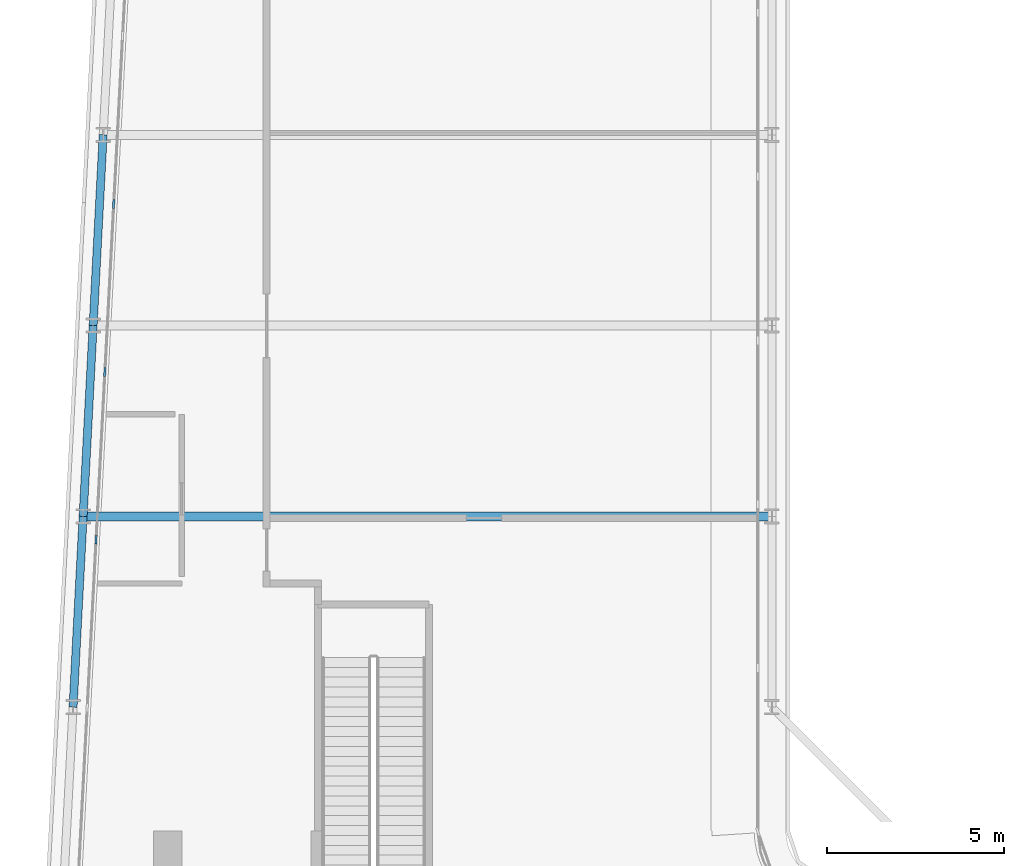
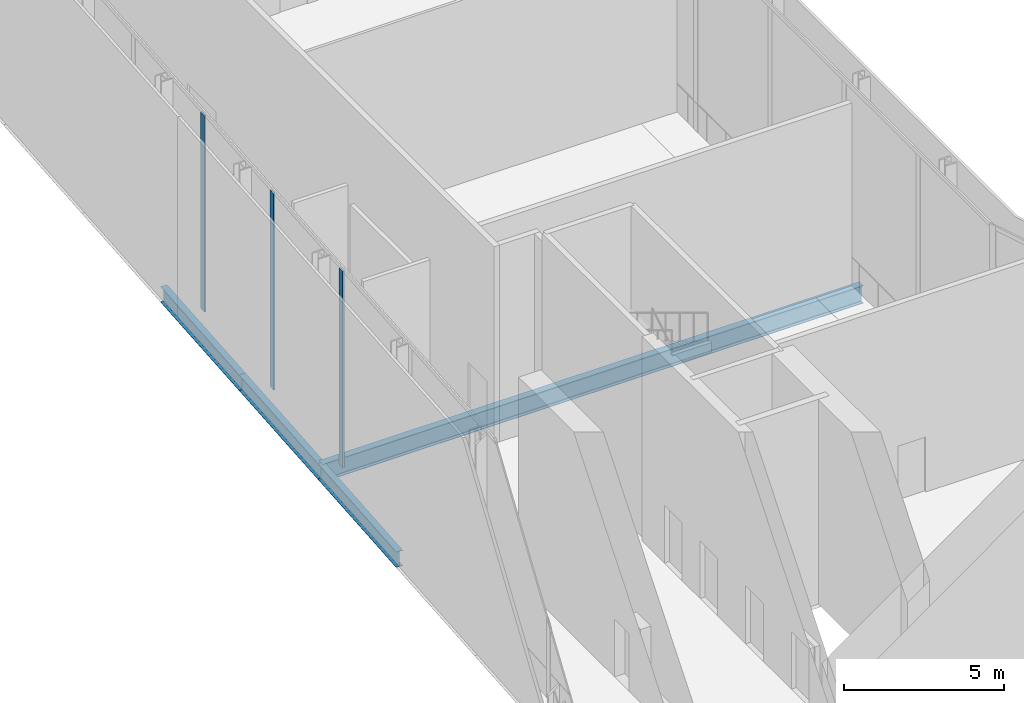
# One storey, part 12 of 37: 4 beams, 3 members, 1 element without a shape of its own.
"""IFC4 building model written with IfcOpenShell, lengths in metres."""

from ifc_helpers import new_model, si_unit, direction, frame, origin, origin_2d, place, context, subcontext, project, spatial, rectangle, i_section, extrude, material, layer, layer_set, material_profile, profile_set, type_object, element, aggregate, save


model = new_model("IFC4")

# Units and contexts
model_context = context("Model", 3, precision=1e-05, world=origin(), true_north=direction((0.0, 1.0)))
body_context = subcontext(model_context, "Body", "Model", "MODEL_VIEW")
ifc_project = project(units=[si_unit("LENGTHUNIT", "METRE"), si_unit("AREAUNIT", "SQUARE_METRE"), si_unit("VOLUMEUNIT", "CUBIC_METRE"), si_unit("PLANEANGLEUNIT", "RADIAN"), si_unit("MASSUNIT", "GRAM", prefix="KILO")], contexts=[model_context])

# Site, building, storey
site_placement = place(None, origin())
site = spatial("IfcSite", under=ifc_project, at=site_placement, CompositionType="ELEMENT")
building_placement = place(site_placement, origin())
building = spatial("IfcBuilding", under=site, at=building_placement, Name="Kheshtan School and Residences Tower", CompositionType="ELEMENT")
storey_placement = place(building_placement, frame((0.0, 0.0, 144.800048828125)))
storey = spatial("IfcBuildingStorey", under=building, at=storey_placement, Name="L34", CompositionType="ELEMENT", Elevation=144.800048828125)

# Beams
ifc_material_1 = material(Name="Steel ASTM A992 Grade 50", Category="steel")
ifc_material_profile_1 = material_profile(ifc_material_1, i_section(OverallWidth=0.2529296875, OverallDepth=0.677978515625, WebThickness=0.01171875, FlangeThickness=0.016357421875, FilletRadius=0.0146484375, at=origin_2d()), Name="W690x125")
ifc_profile_set_1 = profile_set([ifc_material_profile_1], Name="Steel ASTM A992 Grade 50")
beam_type_1 = type_object("IfcBeamType", Name="Beam FB6 W690x125 ASTM A992 Grade 50", PredefinedType="BEAM", material=ifc_profile_set_1)
beam_1_placement = place(storey_placement, frame((47.60009765625, 56.39990234375, -0.489013671875), z_axis=(-1.0, 0.0, 0.0), x_axis=(0.0, -1.0, 0.0)))
element("IfcBeam", 1, at=beam_1_placement, inside=storey, type_object=beam_type_1, Name="Floor beam C081", PredefinedType="BEAM", context=body_context, shape_type="SweptSolid", body=[
    extrude(i_section(OverallWidth=0.2529296875, OverallDepth=0.677978515625, WebThickness=0.01171875, FlangeThickness=0.016357421875, FilletRadius=0.0146484375, at=origin_2d()), origin(), (0.0, 0.0, 1.0), 19.494140625),
])
ifc_material_profile_2 = material_profile(ifc_material_1, i_section(OverallWidth=0.22802734375, OverallDepth=0.60302734375, WebThickness=0.010498046875, FlangeThickness=0.014892578125, FilletRadius=0.013427734375, at=origin_2d()), Name="W610x101")
ifc_profile_set_2 = profile_set([ifc_material_profile_2], Name="Steel ASTM A992 Grade 50")
beam_type_2 = type_object("IfcBeamType", Name="Beam SP2 W610x101 ASTM A992 Grade 50", PredefinedType="BEAM", material=ifc_profile_set_2)
beam_2_placement = place(storey_placement, frame((27.822021484375, 51.0, -0.45166015625), z_axis=(0.05250906864, 0.998620447272, 0.0), x_axis=(-0.998620447272, 0.05250906864, 0.0)))
element("IfcBeam", 2, at=beam_2_placement, inside=storey, type_object=beam_type_2, Name="Spandrel beam C078-C080", PredefinedType="BEAM", context=body_context, shape_type="SweptSolid", body=[
    extrude(i_section(OverallWidth=0.22802734375, OverallDepth=0.60302734375, WebThickness=0.010498046875, FlangeThickness=0.014892578125, FilletRadius=0.013427734375, at=origin_2d()), origin(), (0.0, 0.0, 1.0), 5.407470703125),
])
beam_3_placement = place(storey_placement, frame((28.10595703125, 56.39990234375, -0.45166015625), z_axis=(0.05250670125, 0.998620571751, 0.0), x_axis=(-0.998620571751, 0.05250670125, 0.0)))
element("IfcBeam", 3, at=beam_3_placement, inside=storey, type_object=beam_type_2, Name="Spandrel beam C080-C082", PredefinedType="BEAM", context=body_context, shape_type="SweptSolid", body=[
    extrude(i_section(OverallWidth=0.22802734375, OverallDepth=0.60302734375, WebThickness=0.010498046875, FlangeThickness=0.014892578125, FilletRadius=0.013427734375, at=origin_2d()), origin(), (0.0, 0.0, 1.0), 5.40771484375),
])
beam_4_placement = place(storey_placement, frame((28.389892578125, 61.800048828125, -0.45166015625), z_axis=(0.052554093665, 0.998618078766, 0.0), x_axis=(-0.998618078766, 0.052554093665, 0.0)))
element("IfcBeam", 4, at=beam_4_placement, inside=storey, type_object=beam_type_2, Name="Spandrel beam C082-C084", PredefinedType="BEAM", context=body_context, shape_type="SweptSolid", body=[
    extrude(i_section(OverallWidth=0.22802734375, OverallDepth=0.60302734375, WebThickness=0.010498046875, FlangeThickness=0.014892578125, FilletRadius=0.013427734375, at=origin_2d()), origin(), (0.0, 0.0, 1.0), 5.407470703125),
])

# Curtain wall, members
ifc_material_2 = material(Name="Clear low-e glass in thermally broken aluminium frame", Category="aluminium")
ifc_layer = layer(ifc_material_2, 0.25)
ifc_layer_set = layer_set([ifc_layer], Name="Curtain wall CW-K")
curtain_wall_type = type_object("IfcCurtainWallType", Name="Curtain wall CW-K", PredefinedType="NOTDEFINED", material=ifc_layer_set)
curtain_wall_placement = place(storey_placement, origin())
curtain_wall = element("IfcCurtainWall", 5, at=curtain_wall_placement, inside=storey, type_object=curtain_wall_type, Name="Curtain wall CWK18", PredefinedType="NOTDEFINED")
ifc_material_3 = material(Name="Thermally broken aluminium, dark bronze anodised", Category="aluminium")
ifc_material_profile_3 = material_profile(ifc_material_3, rectangle(XDim=0.06005859375, YDim=0.25, at=origin_2d()), Name="CW-K mullion 60x250")
ifc_profile_set_3 = profile_set([ifc_material_profile_3], Name="Thermally broken aluminium, dark bronze anodised")
member_type = type_object("IfcMemberType", Name="CW-K mullion 60x250", PredefinedType="MULLION", material=ifc_profile_set_3)
member_1_placement = place(storey_placement, frame((28.470947265625, 55.737060546875, 0.0), z_axis=(0.0, 0.0, 1.0), x_axis=(-0.998617497599, 0.05256513568, 0.0)))
member_1 = element("IfcMember", 6, at=member_1_placement, type_object=member_type, Name="CWK18 mullion 6", PredefinedType="MULLION", context=body_context, shape_type="SweptSolid", body=[
    extrude(rectangle(XDim=0.06005859375, YDim=0.25, at=origin_2d()), origin(), (0.0, 0.0, 1.0), 7.489990234375),
])
member_2_placement = place(storey_placement, frame((28.720947265625, 60.489013671875, 0.0), z_axis=(0.0, 0.0, 1.0), x_axis=(-0.998617497599, 0.05256513568, 0.0)))
member_2 = element("IfcMember", 7, at=member_2_placement, type_object=member_type, Name="CWK18 mullion 7", PredefinedType="MULLION", context=body_context, shape_type="SweptSolid", body=[
    extrude(rectangle(XDim=0.06005859375, YDim=0.25, at=origin_2d()), origin(), (0.0, 0.0, 1.0), 7.489990234375),
])
member_3_placement = place(storey_placement, frame((28.97119140625, 65.2412109375, 0.0), z_axis=(0.0, 0.0, 1.0), x_axis=(-0.998617497599, 0.05256513568, 0.0)))
member_3 = element("IfcMember", 8, at=member_3_placement, type_object=member_type, Name="CWK18 mullion 8", PredefinedType="MULLION", context=body_context, shape_type="SweptSolid", body=[
    extrude(rectangle(XDim=0.06005859375, YDim=0.25, at=origin_2d()), origin(), (0.0, 0.0, 1.0), 7.489990234375),
])
aggregate(curtain_wall, [member_1, member_2, member_3])

save(model, "model.ifc")
